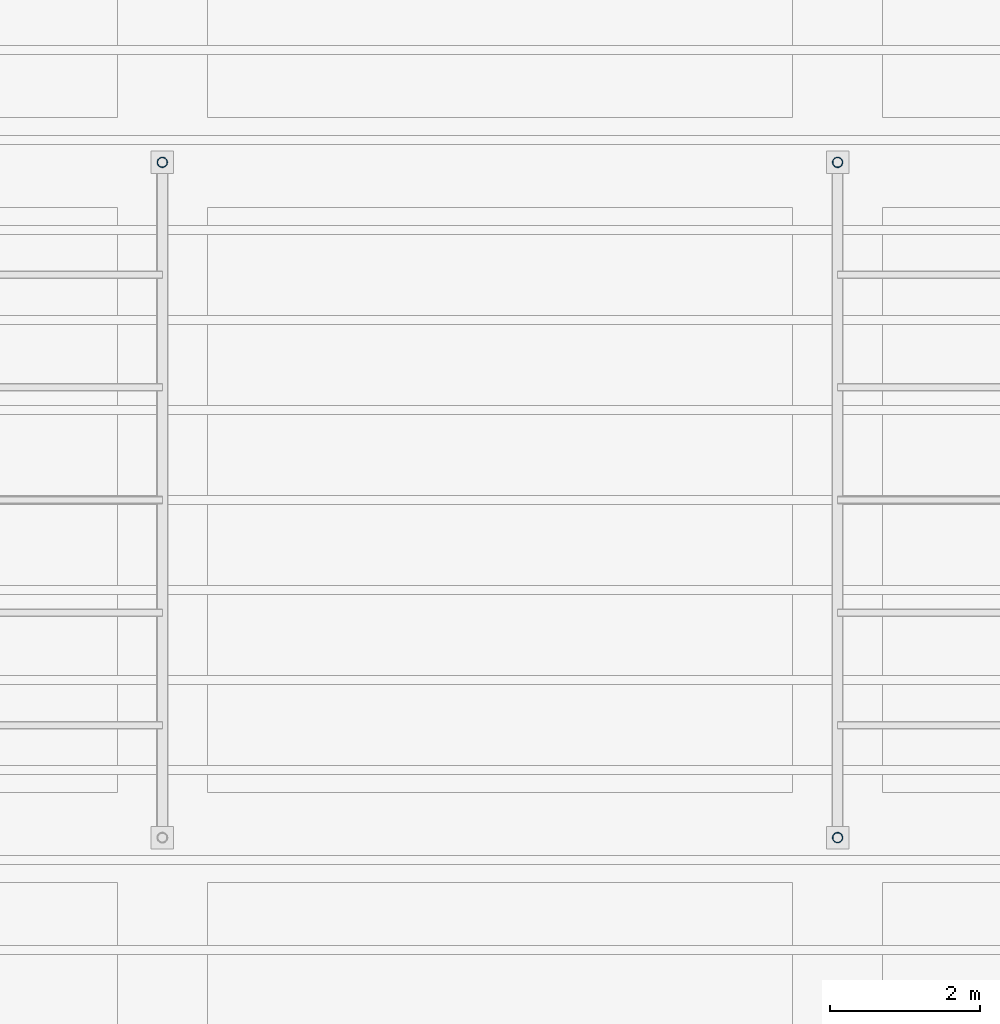
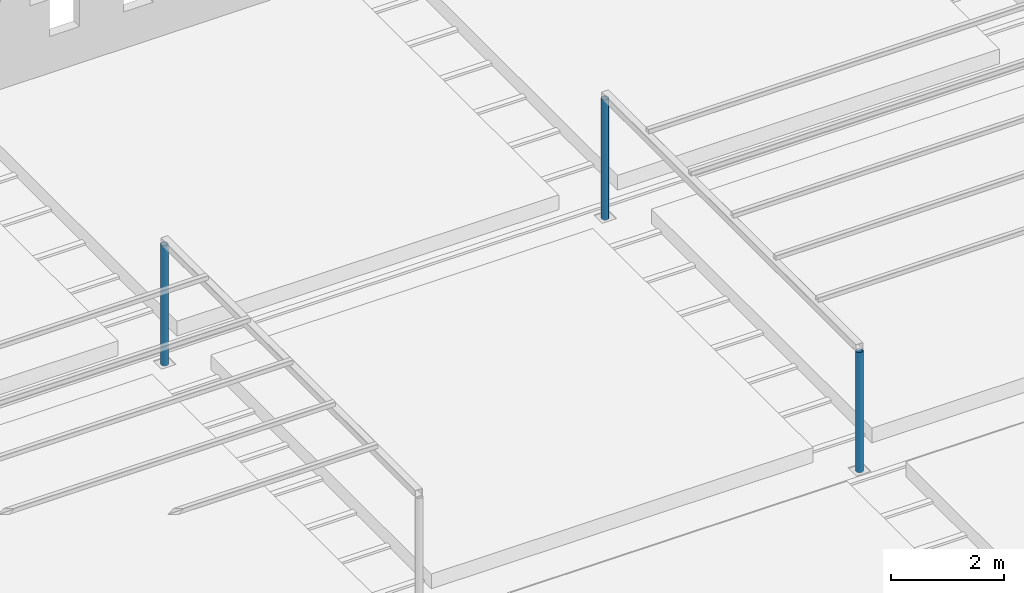
# One storey, part 16 of 153: 3 columns.
"""IFC4 building model written with IfcOpenShell, lengths in metres."""

from ifc_helpers import new_model, si_unit, direction, frame, origin, origin_2d, place, context, subcontext, project, spatial, hollow_circle, extrude, material, material_profile, profile_set, type_object, element, save


model = new_model("IFC4")

# Units and contexts
model_context = context("Model", 3, precision=1e-05, world=origin(), true_north=direction((0.0, 1.0)))
body_context = subcontext(model_context, "Body", "Model", "MODEL_VIEW")
ifc_project = project(units=[si_unit("LENGTHUNIT", "METRE"), si_unit("AREAUNIT", "SQUARE_METRE"), si_unit("VOLUMEUNIT", "CUBIC_METRE"), si_unit("PLANEANGLEUNIT", "RADIAN"), si_unit("MASSUNIT", "GRAM", prefix="KILO")], contexts=[model_context])

# Site, building, storey
site_placement = place(None, origin())
site = spatial("IfcSite", under=ifc_project, at=site_placement, CompositionType="ELEMENT")
building_placement = place(site_placement, origin())
building = spatial("IfcBuilding", under=site, at=building_placement, Name="Baradari Gate Terminus", CompositionType="ELEMENT")
storey_placement = place(building_placement, frame((0.0, 0.0, 11.699951171875)))
storey = spatial("IfcBuildingStorey", under=building, at=storey_placement, Name="L02", CompositionType="ELEMENT", Elevation=11.699951171875)

# Columns
ifc_material = material(Name="Steel S355", Category="steel")
ifc_material_profile = material_profile(ifc_material, hollow_circle(Radius=0.06982421875, WallThickness=0.008056640625, at=origin_2d()), Name="CHS 139.7x8")
ifc_profile_set = profile_set([ifc_material_profile], Name="Steel S355")
column_type = type_object("IfcColumnType", Name="Pergola post CHS 139.7x8", PredefinedType="COLUMN", material=ifc_profile_set)
for number, where, z_axis, x_axis, name in (
    (1, (216.0, 99.0, 0.0), (0.0, 0.0, 1.0), (1.0, 0.0, 0.0), "RF/L02/PGE2-PGC3"),
    (2, (225.0, 90.0, 0.0), (0.0, 0.0, 1.0), (1.0, 0.0, 0.0), "RF/L02/PGE3-PGC1"),
    (3, (225.0, 99.0, 0.0), (0.0, 0.0, 1.0), (1.0, 0.0, 0.0), "RF/L02/PGE3-PGC4"),
):
    element("IfcColumn", number, at=place(storey_placement, frame(where, z_axis=z_axis, x_axis=x_axis)), inside=storey, type_object=column_type, Name=name, PredefinedType="COLUMN", context=body_context, shape_type="SweptSolid", body=[
        extrude(hollow_circle(Radius=0.06982421875, WallThickness=0.008056640625, at=origin_2d()), origin(), (0.0, 0.0, 1.0), 2.60009765625),
    ])

save(model, "model.ifc")
